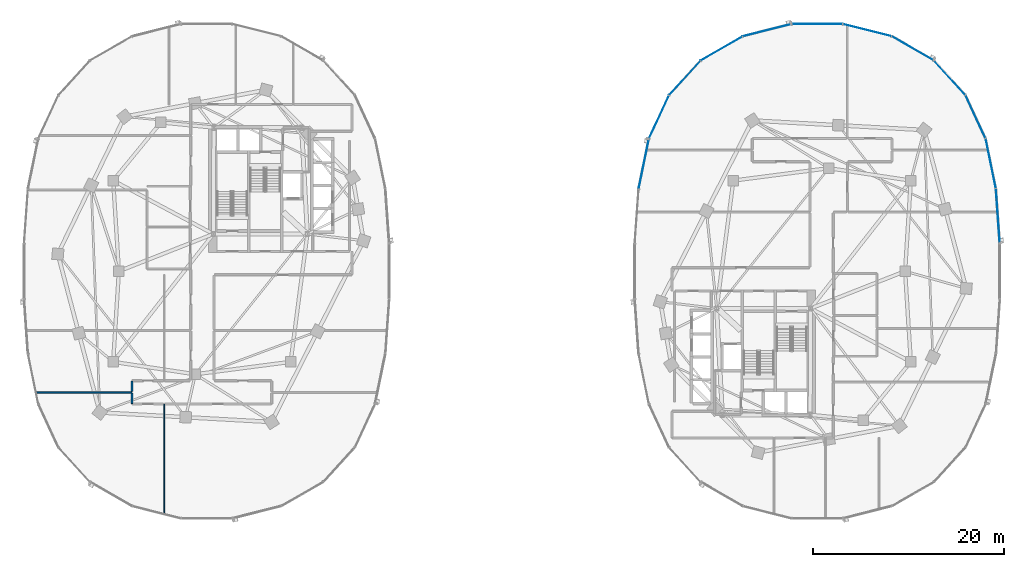
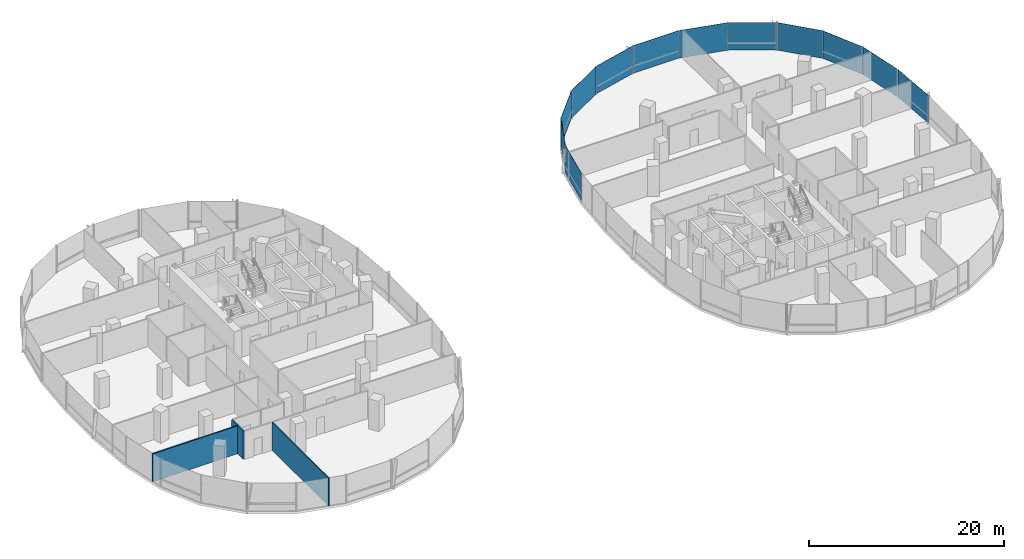
# One storey, part 10 of 22: 12 plates, 4 walls, 2 elements without a shape of their own.
"""IFC4 building model written with IfcOpenShell, lengths in metres."""

from ifc_helpers import new_model, si_unit, direction, frame, frame_2d, origin, origin_2d, place, context, subcontext, project, spatial, rectangle, extrude, material, layer, layer_set, type_object, element, aggregate, save


model = new_model("IFC4")

# Units and contexts
model_context = context("Model", 3, precision=1e-05, world=origin(), true_north=direction((0.0, 1.0)))
body_context = subcontext(model_context, "Body", "Model", "MODEL_VIEW")
ifc_project = project(units=[si_unit("LENGTHUNIT", "METRE"), si_unit("AREAUNIT", "SQUARE_METRE"), si_unit("VOLUMEUNIT", "CUBIC_METRE"), si_unit("PLANEANGLEUNIT", "RADIAN"), si_unit("MASSUNIT", "GRAM", prefix="KILO"), si_unit("THERMODYNAMICTEMPERATUREUNIT", "KELVIN"), si_unit("POWERUNIT", "WATT")], contexts=[model_context])

# Site, building, storey
site_placement = place(None, origin())
site = spatial("IfcSite", under=ifc_project, at=site_placement, CompositionType="ELEMENT")
building_placement = place(site_placement, origin())
building = spatial("IfcBuilding", under=site, at=building_placement, Name="Cundina Bronze Exchange", CompositionType="ELEMENT")
storey_placement = place(building_placement, frame((0.0, 0.0, 43.0)))
storey = spatial("IfcBuildingStorey", under=building, at=storey_placement, Name="L10", CompositionType="ELEMENT", Elevation=43.0)

# Curtain wall, plates
ifc_material_1 = material(Name="Anodised Bronze Aluminium 6063-T6", Category="aluminium")
curtain_wall_type = type_object("IfcCurtainWallType", Name="CWS-TRD-LOW", PredefinedType="NOTDEFINED", material=ifc_material_1)
curtain_wall_1_placement = place(storey_placement, origin())
curtain_wall_1 = element("IfcCurtainWall", 1, at=curtain_wall_1_placement, inside=storey, type_object=curtain_wall_type, Name="L10 CW-02 Curtain Wall Run CWR-L10-E1", PredefinedType="NOTDEFINED")
ifc_material_2 = material(Name="Heat-Strengthened Solar-Control Bronze Safety Glass 28mm", Category="glass")
ifc_layer_1 = layer(ifc_material_2, 0.028076171875, Name="Heat-Strengthened Solar-Control Bronze Safety Glass 28mm", Category="glass")
ifc_layer_set_1 = layer_set([ifc_layer_1], Name="Heat-Strengthened Solar-Control Bronze Safety Glass 28mm")
plate_type_1 = type_object("IfcPlateType", Name="PLT-GLZ-VIS28", PredefinedType="CURTAIN_PANEL", material=ifc_layer_set_1)
plate_1_placement = place(storey_placement, frame((50.9267578125, 5.783935546875, 0.02001953125), z_axis=(0.0, 0.0, 1.0), x_axis=(-0.070278787473, 0.997527389113, 0.0)))
plate_1 = element("IfcPlate", 2, at=plate_1_placement, type_object=plate_type_1, Name="CW-02 Glazed Panel 1", PredefinedType="CURTAIN_PANEL", context=body_context, shape_type="SweptSolid", body=[
    extrude(rectangle(XDim=5.644287109375, YDim=0.028076171875, at=origin_2d()), origin(), (0.0, 0.0, 1.0), 3.4599609375),
])
plate_2_placement = place(storey_placement, frame((50.18408203125, 11.269775390625, 0.02001953125), z_axis=(0.0, 0.0, 1.0), x_axis=(-0.201419845156, 0.979505000486, 0.0)))
plate_2 = element("IfcPlate", 3, at=plate_2_placement, type_object=plate_type_1, Name="CW-02 Glazed Panel 2", PredefinedType="CURTAIN_PANEL", context=body_context, shape_type="SweptSolid", body=[
    extrude(rectangle(XDim=5.306640625, YDim=0.028076171875, at=origin_2d()), origin(), (0.0, 0.0, 1.0), 3.4599609375),
])
plate_3_placement = place(storey_placement, frame((48.586181640625, 16.177734375, 0.02001953125), z_axis=(0.0, 0.0, 1.0), x_axis=(-0.42084583328, 0.907132175932, 0.0)))
plate_3 = element("IfcPlate", 4, at=plate_3_placement, type_object=plate_type_1, Name="CW-02 Glazed Panel 3", PredefinedType="CURTAIN_PANEL", context=body_context, shape_type="SweptSolid", body=[
    extrude(rectangle(XDim=4.966552734375, YDim=0.028076171875, at=origin_2d()), origin(), (0.0, 0.0, 1.0), 3.4599609375),
])
plate_4_placement = place(storey_placement, frame((45.8740234375, 20.267333984375, 0.02001953125), z_axis=(0.0, 0.0, 1.0), x_axis=(-0.674276610219, 0.73847887777, 0.0)))
plate_4 = element("IfcPlate", 5, at=plate_4_placement, type_object=plate_type_1, Name="CW-02 Glazed Panel 4", PredefinedType="CURTAIN_PANEL", context=body_context, shape_type="SweptSolid", body=[
    extrude(rectangle(XDim=4.86328125, YDim=0.028076171875, at=origin_2d()), origin(), (0.0, 0.0, 1.0), 3.4599609375),
])
plate_5_placement = place(storey_placement, frame((37.255615234375, 25.256591796875, 0.02001953125), z_axis=(0.0, 0.0, 1.0), x_axis=(-0.969488149345, 0.245138182011, 0.0)))
plate_5 = element("IfcPlate", 6, at=plate_5_placement, type_object=plate_type_1, Name="CW-02 Glazed Panel 6", PredefinedType="CURTAIN_PANEL", context=body_context, shape_type="SweptSolid", body=[
    extrude(rectangle(XDim=5.2333984375, YDim=0.028076171875, at=origin_2d()), origin(), (0.0, 0.0, 1.0), 3.4599609375),
])
plate_6_placement = place(storey_placement, frame((32.0, 25.905029296875, 0.02001953125), z_axis=(0.0, 0.0, 1.0), x_axis=(-1.0, 0.0, 0.0)))
plate_6 = element("IfcPlate", 7, at=plate_6_placement, type_object=plate_type_1, Name="CW-02 Glazed Panel 7", PredefinedType="CURTAIN_PANEL", context=body_context, shape_type="SweptSolid", body=[
    extrude(rectangle(XDim=5.323974609375, YDim=0.028076171875, at=origin_2d()), origin(), (0.0, 0.0, 1.0), 3.4599609375),
])

curtain_wall_2_placement = place(storey_placement, origin())
curtain_wall_2 = element("IfcCurtainWall", 8, at=curtain_wall_2_placement, inside=storey, type_object=curtain_wall_type, Name="L10 CW-02 Curtain Wall Run CWR-L10-E2", PredefinedType="NOTDEFINED")
plate_7_placement = place(storey_placement, frame((26.744384765625, 25.256591796875, 0.02001953125), z_axis=(0.0, 0.0, 1.0), x_axis=(-0.969488149345, -0.245138182011, 0.0)))
plate_7 = element("IfcPlate", 9, at=plate_7_placement, type_object=plate_type_1, Name="CW-02 Glazed Panel 1", PredefinedType="CURTAIN_PANEL", context=body_context, shape_type="SweptSolid", body=[
    extrude(rectangle(XDim=5.2333984375, YDim=0.028076171875, at=origin_2d()), origin(), (0.0, 0.0, 1.0), 3.4599609375),
])
plate_8_placement = place(storey_placement, frame((21.980712890625, 23.34423828125, 0.02001953125), z_axis=(0.0, 0.0, 1.0), x_axis=(-0.867105478933, -0.498124571171, 0.0)))
plate_8 = element("IfcPlate", 10, at=plate_8_placement, type_object=plate_type_1, Name="CW-02 Glazed Panel 2", PredefinedType="CURTAIN_PANEL", context=body_context, shape_type="SweptSolid", body=[
    extrude(rectangle(XDim=5.021240234375, YDim=0.028076171875, at=origin_2d()), origin(), (0.0, 0.0, 1.0), 3.4599609375),
])
plate_9_placement = place(storey_placement, frame((18.1259765625, 20.267333984375, 0.02001953125), z_axis=(0.0, 0.0, 1.0), x_axis=(-0.674276610219, -0.73847887777, 0.0)))
plate_9 = element("IfcPlate", 11, at=plate_9_placement, type_object=plate_type_1, Name="CW-02 Glazed Panel 3", PredefinedType="CURTAIN_PANEL", context=body_context, shape_type="SweptSolid", body=[
    extrude(rectangle(XDim=4.86328125, YDim=0.028076171875, at=origin_2d()), origin(), (0.0, 0.0, 1.0), 3.4599609375),
])
plate_10_placement = place(storey_placement, frame((13.81591796875, 11.269775390625, 0.02001953125), z_axis=(0.0, 0.0, 1.0), x_axis=(-0.201419845156, -0.979505000486, 0.0)))
plate_10 = element("IfcPlate", 12, at=plate_10_placement, type_object=plate_type_1, Name="CW-02 Glazed Panel 5", PredefinedType="CURTAIN_PANEL", context=body_context, shape_type="SweptSolid", body=[
    extrude(rectangle(XDim=5.306640625, YDim=0.028076171875, at=origin_2d()), origin(), (0.0, 0.0, 1.0), 3.4599609375),
])

# Plate
ifc_material_3 = material(Name="Dark Bronze Spandrel Glass Panel 32mm", Category="glass")
ifc_layer_2 = layer(ifc_material_3, 0.031982421875, Name="Dark Bronze Spandrel Glass Panel 32mm", Category="glass")
ifc_layer_set_2 = layer_set([ifc_layer_2], Name="Dark Bronze Spandrel Glass Panel 32mm")
plate_type_2 = type_object("IfcPlateType", Name="PLT-SPN-BRZ32", PredefinedType="CURTAIN_PANEL", material=ifc_layer_set_2)
plate_11_placement = place(storey_placement, frame((42.019287109375, 23.34423828125, 0.02001953125), z_axis=(0.0, 0.0, 1.0), x_axis=(-0.867105478933, 0.498124571171, 0.0)))
plate_11 = element("IfcPlate", 13, at=plate_11_placement, type_object=plate_type_2, Name="CW-02 Glazed Panel 5", PredefinedType="CURTAIN_PANEL", context=body_context, shape_type="SweptSolid", body=[
    extrude(rectangle(XDim=5.021240234375, YDim=0.031982421875, at=origin_2d()), origin(), (0.0, 0.0, 1.0), 3.4599609375),
])

aggregate(curtain_wall_1, [plate_1, plate_2, plate_3, plate_4, plate_11, plate_5, plate_6])

plate_12_placement = place(storey_placement, frame((15.413818359375, 16.177734375, 0.02001953125), z_axis=(0.0, 0.0, 1.0), x_axis=(-0.42084583328, -0.907132175932, 0.0)))
plate_12 = element("IfcPlate", 14, at=plate_12_placement, type_object=plate_type_2, Name="CW-02 Glazed Panel 4", PredefinedType="CURTAIN_PANEL", context=body_context, shape_type="SweptSolid", body=[
    extrude(rectangle(XDim=4.966552734375, YDim=0.031982421875, at=origin_2d()), origin(), (0.0, 0.0, 1.0), 3.4599609375),
])

aggregate(curtain_wall_2, [plate_7, plate_8, plate_9, plate_12, plate_10])

# Walls
ifc_material_4 = material(Name="Gypsum Fireboard Partition EI120")
ifc_layer_3 = layer(ifc_material_4, 0.179931640625, Name="Gypsum Fireboard Partition EI120")
ifc_layer_set_3 = layer_set([ifc_layer_3], Name="Gypsum Fireboard Partition EI120")
wall_type_1 = type_object("IfcWallType", Name="WL-COR-180", PredefinedType="PARTITIONING", material=ifc_layer_set_3)
wall_1_placement = place(storey_placement, frame((-39.820068359375, -12.780029296875, 0.0), z_axis=(0.0, 0.0, 1.0), x_axis=(0.0, -1.0, 0.0)))
element("IfcWall", 15, at=wall_1_placement, inside=storey, type_object=wall_type_1, Name="L10 Interior Partition 031", PredefinedType="PARTITIONING", context=body_context, shape_type="SweptSolid", body=[
    extrude(rectangle(XDim=1.098388671875, YDim=0.179931640625, at=frame_2d((0.54931640625, 0.0))), origin(), (0.0, 0.0, 1.0), 3.5),
])
wall_2_placement = place(storey_placement, frame((-39.820068359375, -11.521484375, 0.0), z_axis=(0.0, 0.0, 1.0), x_axis=(0.0, -1.0, 0.0)))
element("IfcWall", 16, at=wall_2_placement, inside=storey, type_object=wall_type_1, Name="L10 Interior Partition 033", PredefinedType="PARTITIONING", context=body_context, shape_type="SweptSolid", body=[
    extrude(rectangle(XDim=1.07861328125, YDim=0.179931640625, at=frame_2d((0.539306640625, 0.0))), origin(), (0.0, 0.0, 1.0), 3.5),
])
ifc_material_5 = material(Name="Gypsum Acoustic Partition EI60")
ifc_layer_4 = layer(ifc_material_5, 0.125, Name="Gypsum Acoustic Partition EI60")
ifc_layer_set_4 = layer_set([ifc_layer_4], Name="Gypsum Acoustic Partition EI60")
wall_type_2 = type_object("IfcWallType", Name="WL-OFF-125", PredefinedType="PARTITIONING", material=ifc_layer_set_4)
wall_3_placement = place(storey_placement, frame((-36.4599609375, -25.540771484375, 0.0), z_axis=(0.0, 0.0, 1.0), x_axis=(0.0, 1.0, 0.0)))
element("IfcWall", 17, at=wall_3_placement, inside=storey, type_object=wall_type_2, Name="L10 Interior Partition 015", PredefinedType="PARTITIONING", context=body_context, shape_type="SweptSolid", body=[
    extrude(rectangle(XDim=11.5908203125, YDim=0.125, at=frame_2d((5.79541015625, 0.0))), origin(), (0.0, 0.0, 1.0), 3.5),
])
ifc_layer_5 = layer(ifc_material_5, 0.14990234375, Name="Gypsum Acoustic Partition EI60")
ifc_layer_set_5 = layer_set([ifc_layer_5], Name="Gypsum Acoustic Partition EI60")
wall_type_3 = type_object("IfcWallType", Name="WL-TEN-150", PredefinedType="PARTITIONING", material=ifc_layer_set_5)
wall_4_placement = place(storey_placement, frame((-49.97412109375, -12.68994140625, 0.0), z_axis=(0.0, 0.0, 1.0), x_axis=(1.0, 0.0, 0.0)))
element("IfcWall", 18, at=wall_4_placement, inside=storey, type_object=wall_type_3, Name="L10 Interior Partition 021", PredefinedType="PARTITIONING", context=body_context, shape_type="SweptSolid", body=[
    extrude(rectangle(XDim=10.1240234375, YDim=0.14990234375, at=frame_2d((5.06201171875, 0.0))), origin(), (0.0, 0.0, 1.0), 3.5),
])

save(model, "model.ifc")
